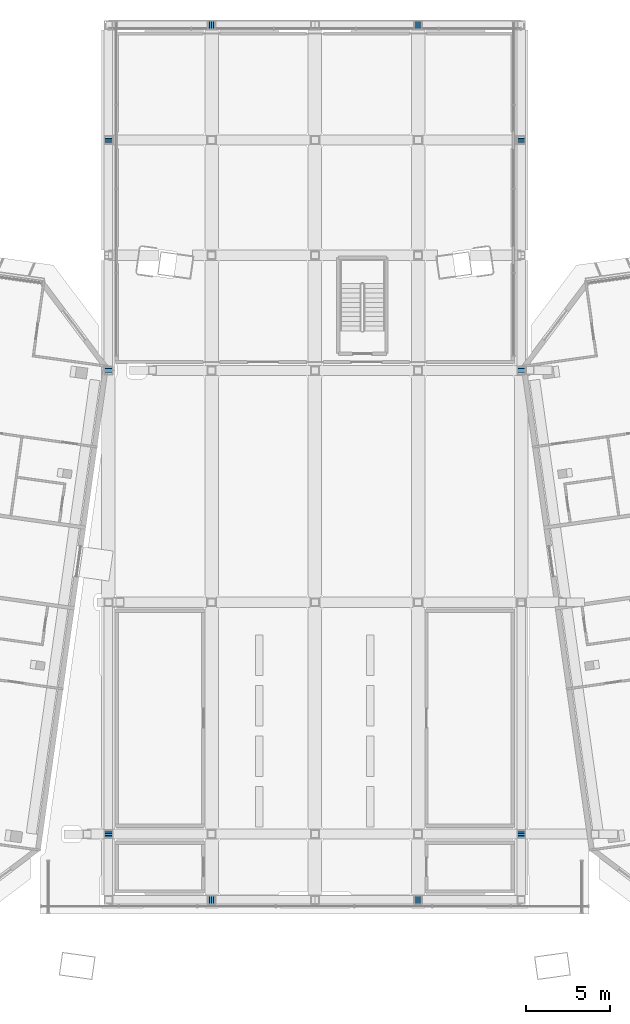
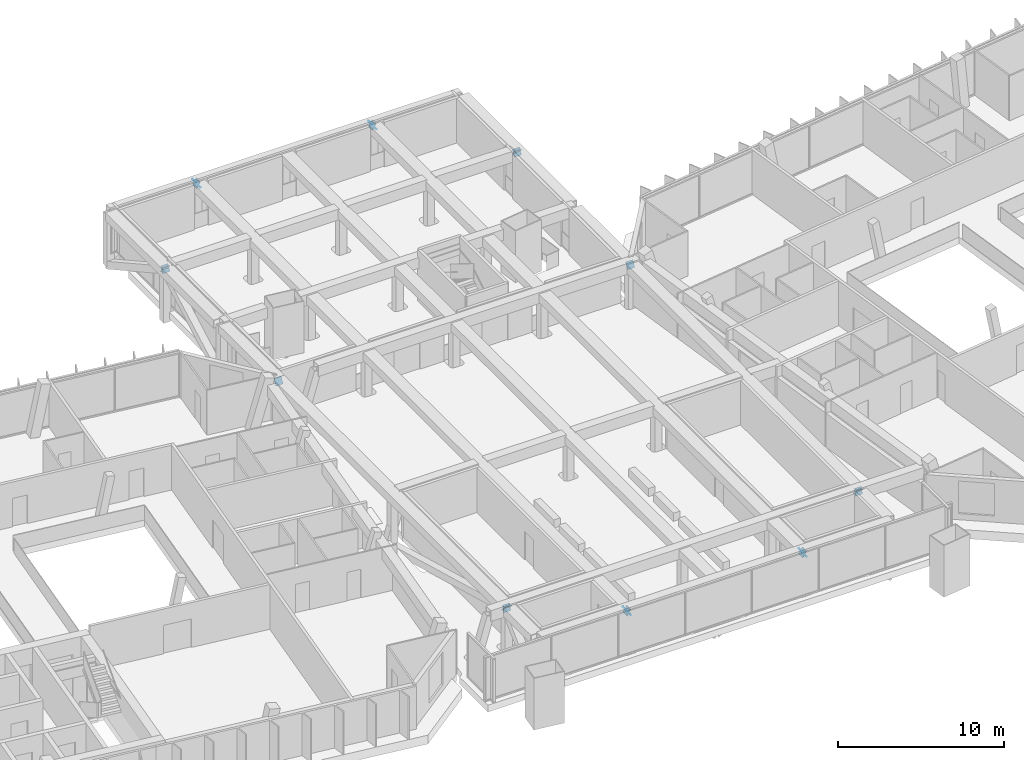
# One storey, part 22 of 25: 18 discrete accessories.
"""IFC4 building model written with IfcOpenShell, lengths in metres."""

from ifc_helpers import new_model, si_unit, direction, frame, origin, origin_2d, place, context, subcontext, project, spatial, rectangle, extrude, material, material_profile, profile_set, type_object, element, save


model = new_model("IFC4")

# Units and contexts
model_context = context("Model", 3, precision=1e-05, world=origin(), true_north=direction((0.0, 1.0)))
body_context = subcontext(model_context, "Body", "Model", "MODEL_VIEW")
ifc_project = project(units=[si_unit("LENGTHUNIT", "METRE"), si_unit("AREAUNIT", "SQUARE_METRE"), si_unit("VOLUMEUNIT", "CUBIC_METRE"), si_unit("PLANEANGLEUNIT", "RADIAN"), si_unit("MASSUNIT", "GRAM", prefix="KILO")], contexts=[model_context])

# Site, building, storey
site_placement = place(None, origin())
site = spatial("IfcSite", under=ifc_project, at=site_placement, CompositionType="ELEMENT")
building_placement = place(site_placement, origin())
building = spatial("IfcBuilding", under=site, at=building_placement, Name="Mirante Cascada Hotel Towers", CompositionType="ELEMENT")
storey_placement = place(building_placement, frame((0.0, 0.0, 266.0)))
storey = spatial("IfcBuildingStorey", under=building, at=storey_placement, Name="L64", CompositionType="ELEMENT", Elevation=266.0)

# Discrete accessories
ifc_material = material(Name="Steel ASTM A572 Gr 50", Category="steel")
ifc_material_profile = material_profile(ifc_material, rectangle(XDim=0.5, YDim=0.5, at=origin_2d()), Name="Connection plate 500x500x25 ASTM A572 Gr 50")
ifc_profile_set = profile_set([ifc_material_profile], Name="Steel ASTM A572 Gr 50")
discrete_accessory_type = type_object("IfcDiscreteAccessoryType", Name="Connection plate 500x500x25 ASTM A572 Gr 50", PredefinedType="BRACKET", material=ifc_profile_set)
for number, where, z_axis, x_axis, name in (
    (1, (-12.2514, -17.6242, 2.8913), (0.0, 0.7170505, 0.6970212), (-1.0, 0.0, 0.0), "Connection plate SP-D1"),
    (2, (-12.2514, -17.6032, 2.8967), (0.0, -0.9644862, 0.2641332), (1.0, 0.0, 0.0), "Connection plate SP-D1"),
    (3, (-12.2514, 9.9251, 2.8939), (0.0, -0.8726425, 0.4883596), (1.0, 0.0, 0.0), "Connection plate SP-D1"),
):
    element("IfcDiscreteAccessory", number, at=place(storey_placement, frame(where, z_axis=z_axis, x_axis=x_axis)), inside=storey, type_object=discrete_accessory_type, Name=name, PredefinedType="BRACKET", context=body_context, shape_type="SweptSolid", body=[
        extrude(rectangle(XDim=0.5, YDim=0.5, at=origin_2d()), origin(), (0.0, 0.0, 1.0), 0.025),
    ])
for number, where, z_axis, x_axis, name in (
    (4, (-12.2514, 23.5699, 2.8939), (0.0, 0.8735922, 0.4866587), (-1.0, 0.0, 0.0), "Connection plate SP-D1"),
    (5, (-12.2514, 23.5918, 2.8939), (0.0, -0.8735922, 0.4866587), (1.0, 0.0, 0.0), "Connection plate SP-D1"),
):
    element("IfcDiscreteAccessory", number, at=place(storey_placement, frame(where, z_axis=z_axis, x_axis=x_axis)), inside=storey, type_object=discrete_accessory_type, Name=name, PredefinedType="BRACKET", context=body_context, shape_type="SweptSolid", body=[
        extrude(rectangle(XDim=0.5, YDim=0.5, at=origin_2d()), origin(), (0.0, 0.0, 1.0), 0.0251),
    ])
for number, where, z_axis, x_axis, name in (
    (6, (12.2514, -17.6242, 2.8913), (0.0, 0.7170505, 0.6970212), (-1.0, 0.0, 0.0), "Connection plate SP-D5"),
    (7, (12.2514, -17.6032, 2.8967), (0.0, -0.9644862, 0.2641332), (1.0, 0.0, 0.0), "Connection plate SP-D5"),
    (8, (12.2514, 9.9251, 2.8939), (0.0, -0.8726425, 0.4883596), (1.0, 0.0, 0.0), "Connection plate SP-D5"),
):
    element("IfcDiscreteAccessory", number, at=place(storey_placement, frame(where, z_axis=z_axis, x_axis=x_axis)), inside=storey, type_object=discrete_accessory_type, Name=name, PredefinedType="BRACKET", context=body_context, shape_type="SweptSolid", body=[
        extrude(rectangle(XDim=0.5, YDim=0.5, at=origin_2d()), origin(), (0.0, 0.0, 1.0), 0.025),
    ])
for number, where, z_axis, x_axis, name in (
    (9, (12.2514, 23.5699, 2.8939), (0.0, 0.8735922, 0.4866587), (-1.0, 0.0, 0.0), "Connection plate SP-D5"),
    (10, (12.2514, 23.5918, 2.8939), (0.0, -0.8735922, 0.4866587), (1.0, 0.0, 0.0), "Connection plate SP-D5"),
):
    element("IfcDiscreteAccessory", number, at=place(storey_placement, frame(where, z_axis=z_axis, x_axis=x_axis)), inside=storey, type_object=discrete_accessory_type, Name=name, PredefinedType="BRACKET", context=body_context, shape_type="SweptSolid", body=[
        extrude(rectangle(XDim=0.5, YDim=0.5, at=origin_2d()), origin(), (0.0, 0.0, 1.0), 0.0251),
    ])
for number, where, z_axis, x_axis, name in (
    (11, (-6.1363, 30.4142, 2.8934), (0.8488969, 0.0, 0.5285585), (0.0, 1.0, 0.0), "Connection plate SP-ETD"),
    (12, (-6.1151, 30.4142, 2.8934), (-0.8488969, 0.0, 0.5285585), (0.0, -1.0, 0.0), "Connection plate SP-ETD"),
    (13, (6.1151, 30.4142, 2.8934), (0.8488969, 0.0, 0.5285585), (0.0, 1.0, 0.0), "Connection plate SP-ETD"),
    (14, (6.1363, 30.4142, 2.8934), (-0.8488969, 0.0, 0.5285585), (0.0, -1.0, 0.0), "Connection plate SP-ETD"),
    (15, (-6.1363, -21.5153, 2.8934), (0.8488969, 0.0, 0.5285585), (0.0, 1.0, 0.0), "Connection plate SP-ERD"),
    (16, (-6.1151, -21.5153, 2.8934), (-0.8488969, 0.0, 0.5285585), (0.0, -1.0, 0.0), "Connection plate SP-ERD"),
    (17, (6.1151, -21.5153, 2.8934), (0.8488969, 0.0, 0.5285585), (0.0, 1.0, 0.0), "Connection plate SP-ERD"),
    (18, (6.1363, -21.5153, 2.8934), (-0.8488969, 0.0, 0.5285585), (0.0, -1.0, 0.0), "Connection plate SP-ERD"),
):
    element("IfcDiscreteAccessory", number, at=place(storey_placement, frame(where, z_axis=z_axis, x_axis=x_axis)), inside=storey, type_object=discrete_accessory_type, Name=name, PredefinedType="BRACKET", context=body_context, shape_type="SweptSolid", body=[
        extrude(rectangle(XDim=0.5, YDim=0.5, at=origin_2d()), origin(), (0.0, 0.0, 1.0), 0.025),
    ])

save(model, "model.ifc")
